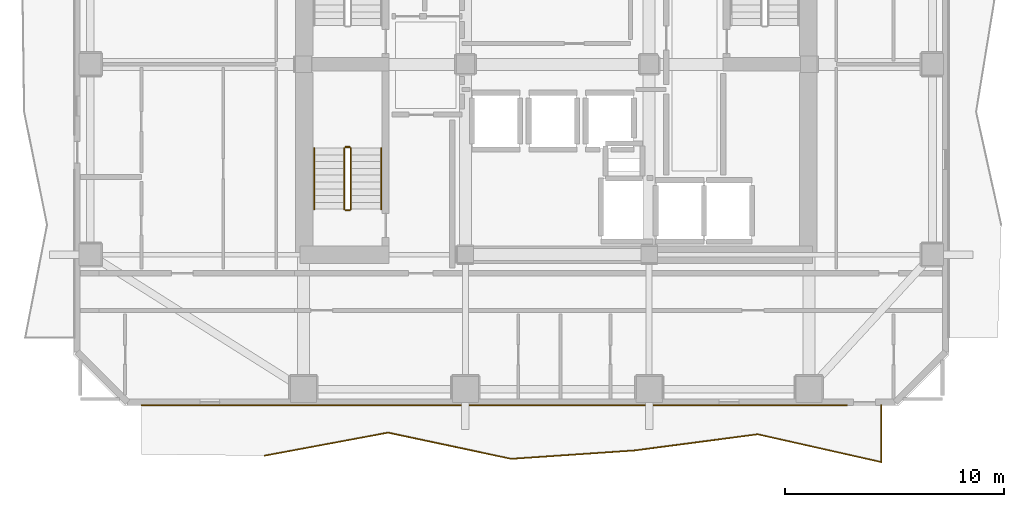
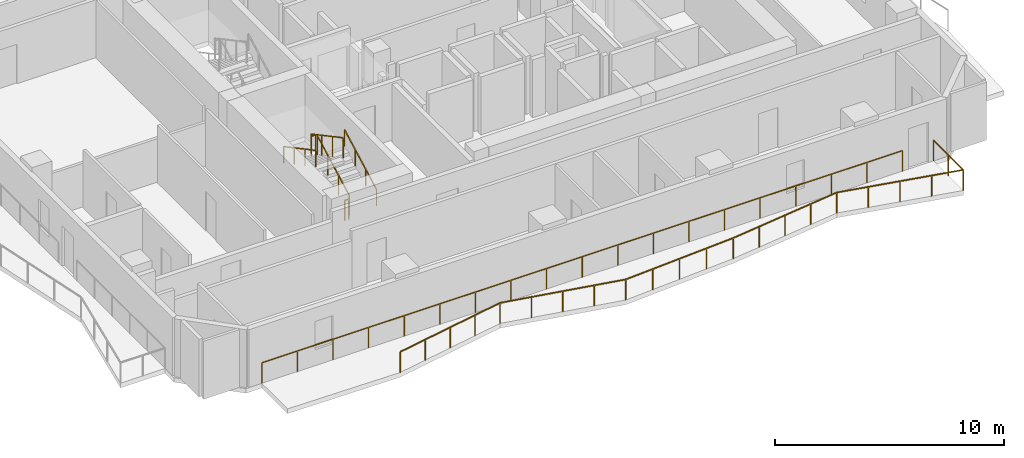
# One storey, part 8 of 11: 8 railings.
"""IFC4 building model written with IfcOpenShell, lengths in metres."""

from ifc_helpers import new_model, si_unit, direction, frame, origin, origin_2d, place, context, subcontext, project, spatial, rectangle, extrude, material, type_object, element, save


model = new_model("IFC4")

# Units and contexts
model_context = context("Model", 3, precision=1e-05, world=origin(), true_north=direction((0.0, 1.0)))
body_context = subcontext(model_context, "Body", "Model", "MODEL_VIEW")
ifc_project = project(units=[si_unit("LENGTHUNIT", "METRE"), si_unit("AREAUNIT", "SQUARE_METRE"), si_unit("VOLUMEUNIT", "CUBIC_METRE"), si_unit("PLANEANGLEUNIT", "RADIAN"), si_unit("MASSUNIT", "GRAM", prefix="KILO")], contexts=[model_context])

# Site, building, storey
site_placement = place(None, origin())
site = spatial("IfcSite", under=ifc_project, at=site_placement, CompositionType="ELEMENT")
building_placement = place(site_placement, origin())
building = spatial("IfcBuilding", under=site, at=building_placement, Name="Solanera Arch Residences", CompositionType="ELEMENT")
storey_placement = place(building_placement, frame((0.0, 0.0, 180.199951171875)))
storey = spatial("IfcBuildingStorey", under=building, at=storey_placement, Name="L52", CompositionType="ELEMENT", Elevation=180.199951171875)

# Railings
ifc_material_1 = material(Name="Steel S355 (ASTM A992 / A572 Grade 50)", Category="steel")
railing_type_1 = type_object("IfcRailingType", Name="Balustrade Railing BL-1100", PredefinedType="BALUSTRADE", material=ifc_material_1)
railing_1_placement = place(storey_placement, frame((11.633056640625, 12.81298828125, 0.0)))
element("IfcRailing", 1, at=railing_1_placement, inside=storey, type_object=railing_type_1, Name="L52 S Balcony Balustrade 1", PredefinedType="BALUSTRADE", context=body_context, shape_type="SweptSolid", body=[
    extrude(rectangle(XDim=0.048095703125, YDim=0.048095703125, at=origin_2d()), frame((0.0, 0.0, 1.09619140625), z_axis=(0.983041040317, 0.183385694786, 0.0), x_axis=(-0.183385694786, 0.983041040317, 0.0)), (0.0, 0.0, 1.0), 5.731201171875),
    extrude(rectangle(XDim=0.048095703125, YDim=0.048095703125, at=origin_2d()), frame((5.634033203125, 1.051025390625, 1.09619140625), z_axis=(0.978088116362, -0.208191346197, 0.0), x_axis=(0.208191346197, 0.978088116362, 0.0)), (0.0, 0.0, 1.0), 5.759033203125),
    extrude(rectangle(XDim=0.048095703125, YDim=0.048095703125, at=origin_2d()), frame((11.266845703125, -0.14794921875, 1.09619140625), z_axis=(0.99768415952, 0.068017040824, 0.0), x_axis=(-0.068017040824, 0.99768415952, 0.0)), (0.0, 0.0, 1.0), 5.646240234375),
    extrude(rectangle(XDim=0.048095703125, YDim=0.048095703125, at=origin_2d()), frame((16.89990234375, 0.236083984375, 1.09619140625), z_axis=(0.991506715215, 0.130055502316, 0.0), x_axis=(-0.130055502316, 0.991506715215, 0.0)), (0.0, 0.0, 1.0), 5.682373046875),
    extrude(rectangle(XDim=0.048095703125, YDim=0.048095703125, at=origin_2d()), frame((22.533935546875, 0.97509765625, 1.09619140625), z_axis=(0.975550184703, -0.219776789325, 0.0), x_axis=(0.219776789325, 0.975550184703, 0.0)), (0.0, 0.0, 1.0), 5.774169921875),
    extrude(rectangle(XDim=0.048095703125, YDim=0.048095703125, at=origin_2d()), frame((28.1669921875, -0.2939453125, 1.09619140625), z_axis=(0.0, 1.0, 0.0), x_axis=(-1.0, 0.0, 0.0)), (0.0, 0.0, 1.0), 2.60107421875),
    extrude(rectangle(XDim=0.0419921875, YDim=0.0419921875, at=origin_2d()), origin(), (0.0, 0.0, 1.0), 1.072021484375),
    extrude(rectangle(XDim=0.0419921875, YDim=0.0419921875, at=origin_2d()), frame((1.408447265625, 0.2626953125, 0.0)), (0.0, 0.0, 1.0), 1.072021484375),
    extrude(rectangle(XDim=0.0419921875, YDim=0.0419921875, at=origin_2d()), frame((2.81689453125, 0.525390625, 0.0)), (0.0, 0.0, 1.0), 1.072021484375),
    extrude(rectangle(XDim=0.0419921875, YDim=0.0419921875, at=origin_2d()), frame((4.2255859375, 0.788330078125, 0.0)), (0.0, 0.0, 1.0), 1.072021484375),
    extrude(rectangle(XDim=0.0419921875, YDim=0.0419921875, at=origin_2d()), frame((5.634033203125, 1.051025390625, 0.0)), (0.0, 0.0, 1.0), 1.072021484375),
    extrude(rectangle(XDim=0.0419921875, YDim=0.0419921875, at=origin_2d()), frame((7.042236328125, 0.751220703125, 0.0)), (0.0, 0.0, 1.0), 1.072021484375),
    extrude(rectangle(XDim=0.0419921875, YDim=0.0419921875, at=origin_2d()), frame((8.450439453125, 0.45166015625, 0.0)), (0.0, 0.0, 1.0), 1.072021484375),
    extrude(rectangle(XDim=0.0419921875, YDim=0.0419921875, at=origin_2d()), frame((9.858642578125, 0.15185546875, 0.0)), (0.0, 0.0, 1.0), 1.072021484375),
    extrude(rectangle(XDim=0.0419921875, YDim=0.0419921875, at=origin_2d()), frame((11.266845703125, -0.14794921875, 0.0)), (0.0, 0.0, 1.0), 1.072021484375),
    extrude(rectangle(XDim=0.0419921875, YDim=0.0419921875, at=origin_2d()), frame((12.675048828125, -0.052001953125, 0.0)), (0.0, 0.0, 1.0), 1.072021484375),
    extrude(rectangle(XDim=0.0419921875, YDim=0.0419921875, at=origin_2d()), frame((14.08349609375, 0.0439453125, 0.0)), (0.0, 0.0, 1.0), 1.072021484375),
    extrude(rectangle(XDim=0.0419921875, YDim=0.0419921875, at=origin_2d()), frame((15.49169921875, 0.14013671875, 0.0)), (0.0, 0.0, 1.0), 1.072021484375),
    extrude(rectangle(XDim=0.0419921875, YDim=0.0419921875, at=origin_2d()), frame((16.89990234375, 0.236083984375, 0.0)), (0.0, 0.0, 1.0), 1.072021484375),
    extrude(rectangle(XDim=0.0419921875, YDim=0.0419921875, at=origin_2d()), frame((18.308349609375, 0.4208984375, 0.0)), (0.0, 0.0, 1.0), 1.072021484375),
    extrude(rectangle(XDim=0.0419921875, YDim=0.0419921875, at=origin_2d()), frame((19.716796875, 0.60546875, 0.0)), (0.0, 0.0, 1.0), 1.072021484375),
    extrude(rectangle(XDim=0.0419921875, YDim=0.0419921875, at=origin_2d()), frame((21.12548828125, 0.790283203125, 0.0)), (0.0, 0.0, 1.0), 1.072021484375),
    extrude(rectangle(XDim=0.0419921875, YDim=0.0419921875, at=origin_2d()), frame((22.533935546875, 0.97509765625, 0.0)), (0.0, 0.0, 1.0), 1.072021484375),
    extrude(rectangle(XDim=0.0419921875, YDim=0.0419921875, at=origin_2d()), frame((23.942138671875, 0.65771484375, 0.0)), (0.0, 0.0, 1.0), 1.072021484375),
    extrude(rectangle(XDim=0.0419921875, YDim=0.0419921875, at=origin_2d()), frame((25.3505859375, 0.340576171875, 0.0)), (0.0, 0.0, 1.0), 1.072021484375),
    extrude(rectangle(XDim=0.0419921875, YDim=0.0419921875, at=origin_2d()), frame((26.7587890625, 0.0234375, 0.0)), (0.0, 0.0, 1.0), 1.072021484375),
    extrude(rectangle(XDim=0.0419921875, YDim=0.0419921875, at=origin_2d()), frame((28.1669921875, -0.2939453125, 0.0)), (0.0, 0.0, 1.0), 1.072021484375),
    extrude(rectangle(XDim=0.0419921875, YDim=0.0419921875, at=origin_2d()), frame((28.1669921875, 1.006591796875, 0.0)), (0.0, 0.0, 1.0), 1.072021484375),
    extrude(rectangle(XDim=0.0419921875, YDim=0.0419921875, at=origin_2d()), frame((28.1669921875, 2.30712890625, 0.0)), (0.0, 0.0, 1.0), 1.072021484375),
])
railing_2_placement = place(storey_placement, frame((38.240966796875, 15.1201171875, 0.0)))
element("IfcRailing", 2, at=railing_2_placement, inside=storey, type_object=railing_type_1, Name="L52 S Balcony Balustrade 2", PredefinedType="BALUSTRADE", context=body_context, shape_type="SweptSolid", body=[
    extrude(rectangle(XDim=0.048095703125, YDim=0.048095703125, at=origin_2d()), frame((0.0, 0.0, 1.09619140625), z_axis=(-1.0, 0.0, 0.0), x_axis=(0.0, -1.0, 0.0)), (0.0, 0.0, 1.0), 32.240966796875),
    extrude(rectangle(XDim=0.0419921875, YDim=0.0419921875, at=origin_2d()), origin(), (0.0, 0.0, 1.0), 1.072021484375),
    extrude(rectangle(XDim=0.0419921875, YDim=0.0419921875, at=origin_2d()), frame((-1.791259765625, 0.0, 0.0)), (0.0, 0.0, 1.0), 1.072021484375),
    extrude(rectangle(XDim=0.0419921875, YDim=0.0419921875, at=origin_2d()), frame((-3.582275390625, 0.0, 0.0)), (0.0, 0.0, 1.0), 1.072021484375),
    extrude(rectangle(XDim=0.0419921875, YDim=0.0419921875, at=origin_2d()), frame((-5.37353515625, 0.0, 0.0)), (0.0, 0.0, 1.0), 1.072021484375),
    extrude(rectangle(XDim=0.0419921875, YDim=0.0419921875, at=origin_2d()), frame((-7.16455078125, 0.0, 0.0)), (0.0, 0.0, 1.0), 1.072021484375),
    extrude(rectangle(XDim=0.0419921875, YDim=0.0419921875, at=origin_2d()), frame((-8.955810546875, 0.0, 0.0)), (0.0, 0.0, 1.0), 1.072021484375),
    extrude(rectangle(XDim=0.0419921875, YDim=0.0419921875, at=origin_2d()), frame((-10.7470703125, 0.0, 0.0)), (0.0, 0.0, 1.0), 1.072021484375),
    extrude(rectangle(XDim=0.0419921875, YDim=0.0419921875, at=origin_2d()), frame((-12.5380859375, 0.0, 0.0)), (0.0, 0.0, 1.0), 1.072021484375),
    extrude(rectangle(XDim=0.0419921875, YDim=0.0419921875, at=origin_2d()), frame((-14.329345703125, 0.0, 0.0)), (0.0, 0.0, 1.0), 1.072021484375),
    extrude(rectangle(XDim=0.0419921875, YDim=0.0419921875, at=origin_2d()), frame((-16.12060546875, 0.0, 0.0)), (0.0, 0.0, 1.0), 1.072021484375),
    extrude(rectangle(XDim=0.0419921875, YDim=0.0419921875, at=origin_2d()), frame((-17.91162109375, 0.0, 0.0)), (0.0, 0.0, 1.0), 1.072021484375),
    extrude(rectangle(XDim=0.0419921875, YDim=0.0419921875, at=origin_2d()), frame((-19.702880859375, 0.0, 0.0)), (0.0, 0.0, 1.0), 1.072021484375),
    extrude(rectangle(XDim=0.0419921875, YDim=0.0419921875, at=origin_2d()), frame((-21.493896484375, 0.0, 0.0)), (0.0, 0.0, 1.0), 1.072021484375),
    extrude(rectangle(XDim=0.0419921875, YDim=0.0419921875, at=origin_2d()), frame((-23.28515625, 0.0, 0.0)), (0.0, 0.0, 1.0), 1.072021484375),
    extrude(rectangle(XDim=0.0419921875, YDim=0.0419921875, at=origin_2d()), frame((-25.076416015625, 0.0, 0.0)), (0.0, 0.0, 1.0), 1.072021484375),
    extrude(rectangle(XDim=0.0419921875, YDim=0.0419921875, at=origin_2d()), frame((-26.867431640625, 0.0, 0.0)), (0.0, 0.0, 1.0), 1.072021484375),
    extrude(rectangle(XDim=0.0419921875, YDim=0.0419921875, at=origin_2d()), frame((-28.65869140625, 0.0, 0.0)), (0.0, 0.0, 1.0), 1.072021484375),
    extrude(rectangle(XDim=0.0419921875, YDim=0.0419921875, at=origin_2d()), frame((-30.44970703125, 0.0, 0.0)), (0.0, 0.0, 1.0), 1.072021484375),
    extrude(rectangle(XDim=0.0419921875, YDim=0.0419921875, at=origin_2d()), frame((-32.240966796875, 0.0, 0.0)), (0.0, 0.0, 1.0), 1.072021484375),
])
ifc_material_2 = material(Name="Steel S355 (ASTM A992 / A572 Grade 50)", Category="steel")
railing_type_2 = type_object("IfcRailingType", Name="Stair Guardrail GR-1100", PredefinedType="GUARDRAIL", material=ifc_material_2)
railing_3_placement = place(storey_placement, frame((15.570068359375, 24.080078125, 0.151123046875)))
element("IfcRailing", 3, at=railing_3_placement, inside=storey, type_object=railing_type_2, Name="L52 ST-T3 stair guard 1", PredefinedType="GUARDRAIL", context=body_context, shape_type="SweptSolid", body=[
    extrude(rectangle(XDim=0.048095703125, YDim=0.048095703125, at=origin_2d()), frame((0.0, 0.0, 1.076171875), z_axis=(0.0, 0.881580869306, 0.472033018838), x_axis=(-1.0, 0.0, 0.0)), (0.0, 0.0, 1.0), 3.164794921875),
    extrude(rectangle(XDim=0.0419921875, YDim=0.0419921875, at=origin_2d()), origin(), (0.0, 0.0, 1.0), 1.052001953125),
    extrude(rectangle(XDim=0.0419921875, YDim=0.0419921875, at=origin_2d()), frame((0.0, 0.929931640625, 0.498046875)), (0.0, 0.0, 1.0), 1.052001953125),
    extrude(rectangle(XDim=0.0419921875, YDim=0.0419921875, at=origin_2d()), frame((0.0, 1.860107421875, 0.995849609375)), (0.0, 0.0, 1.0), 1.052001953125),
    extrude(rectangle(XDim=0.0419921875, YDim=0.0419921875, at=origin_2d()), frame((0.0, 2.7900390625, 1.493896484375)), (0.0, 0.0, 1.0), 1.052001953125),
])
railing_4_placement = place(storey_placement, frame((15.52001953125, 26.919921875, 1.64501953125)))
element("IfcRailing", 4, at=railing_4_placement, inside=storey, type_object=railing_type_2, Name="L52 ST-T3 stair guard 2", PredefinedType="GUARDRAIL", context=body_context, shape_type="SweptSolid", body=[
    extrude(rectangle(XDim=0.048095703125, YDim=0.048095703125, at=origin_2d()), frame((0.0, 0.0, 1.076171875), z_axis=(-1.0, 0.0, 0.0), x_axis=(0.0, -1.0, 0.0)), (0.0, 0.0, 1.0), 0.199951171875),
    extrude(rectangle(XDim=0.0419921875, YDim=0.0419921875, at=origin_2d()), origin(), (0.0, 0.0, 1.0), 1.052001953125),
    extrude(rectangle(XDim=0.0419921875, YDim=0.0419921875, at=origin_2d()), frame((-0.199951171875, 0.0, 0.0)), (0.0, 0.0, 1.0), 1.052001953125),
])
railing_5_placement = place(storey_placement, frame((15.27001953125, 26.8701171875, 1.81103515625)))
element("IfcRailing", 5, at=railing_5_placement, inside=storey, type_object=railing_type_2, Name="L52 ST-T3 stair guard 3", PredefinedType="GUARDRAIL", context=body_context, shape_type="SweptSolid", body=[
    extrude(rectangle(XDim=0.048095703125, YDim=0.048095703125, at=origin_2d()), frame((0.0, 0.0, 1.076171875), z_axis=(0.0, -0.881580869306, 0.472033018838), x_axis=(1.0, 0.0, 0.0)), (0.0, 0.0, 1.0), 3.164794921875),
    extrude(rectangle(XDim=0.0419921875, YDim=0.0419921875, at=origin_2d()), origin(), (0.0, 0.0, 1.0), 1.052001953125),
    extrude(rectangle(XDim=0.0419921875, YDim=0.0419921875, at=origin_2d()), frame((0.0, -0.929931640625, 0.498046875)), (0.0, 0.0, 1.0), 1.052001953125),
    extrude(rectangle(XDim=0.0419921875, YDim=0.0419921875, at=origin_2d()), frame((0.0, -1.860107421875, 0.995849609375)), (0.0, 0.0, 1.0), 1.052001953125),
    extrude(rectangle(XDim=0.0419921875, YDim=0.0419921875, at=origin_2d()), frame((0.0, -2.7900390625, 1.493896484375)), (0.0, 0.0, 1.0), 1.052001953125),
])
railing_6_placement = place(storey_placement, frame((15.52001953125, 24.030029296875, -0.014892578125)))
element("IfcRailing", 6, at=railing_6_placement, inside=storey, type_object=railing_type_2, Name="L52 ST-T3 stair guard 4", PredefinedType="GUARDRAIL", context=body_context, shape_type="SweptSolid", body=[
    extrude(rectangle(XDim=0.048095703125, YDim=0.048095703125, at=origin_2d()), frame((0.0, 0.0, 1.076171875), z_axis=(-1.0, 0.0, 0.0), x_axis=(0.0, -1.0, 0.0)), (0.0, 0.0, 1.0), 0.199951171875),
    extrude(rectangle(XDim=0.0419921875, YDim=0.0419921875, at=origin_2d()), origin(), (0.0, 0.0, 1.0), 1.052001953125),
    extrude(rectangle(XDim=0.0419921875, YDim=0.0419921875, at=origin_2d()), frame((-0.199951171875, 0.0, 0.0)), (0.0, 0.0, 1.0), 1.052001953125),
])
ifc_material_3 = material(Name="Steel S355 (ASTM A992 / A572 Grade 50)", Category="steel")
railing_type_3 = type_object("IfcRailingType", Name="Stair Wall Handrail HR-920", PredefinedType="HANDRAIL", material=ifc_material_3)
railing_7_placement = place(storey_placement, frame((16.949951171875, 24.080078125, 0.166015625)))
element("IfcRailing", 7, at=railing_7_placement, inside=storey, type_object=railing_type_3, Name="L52 ST-T3 stair handrail 1", PredefinedType="HANDRAIL", context=body_context, shape_type="SweptSolid", body=[
    extrude(rectangle(XDim=0.048095703125, YDim=0.048095703125, at=origin_2d()), frame((0.0, 0.0, 0.8759765625), z_axis=(0.0, 0.881548766853, 0.472092969298), x_axis=(-1.0, 0.0, 0.0)), (0.0, 0.0, 1.0), 3.1650390625),
    extrude(rectangle(XDim=0.0419921875, YDim=0.0419921875, at=origin_2d()), origin(), (0.0, 0.0, 1.0), 0.851806640625),
    extrude(rectangle(XDim=0.0419921875, YDim=0.0419921875, at=origin_2d()), frame((0.0, 0.929931640625, 0.498046875)), (0.0, 0.0, 1.0), 0.851806640625),
    extrude(rectangle(XDim=0.0419921875, YDim=0.0419921875, at=origin_2d()), frame((0.0, 1.860107421875, 0.99609375)), (0.0, 0.0, 1.0), 0.851806640625),
    extrude(rectangle(XDim=0.0419921875, YDim=0.0419921875, at=origin_2d()), frame((0.0, 2.7900390625, 1.494140625)), (0.0, 0.0, 1.0), 0.851806640625),
])
railing_8_placement = place(storey_placement, frame((13.889892578125, 26.8701171875, 1.825927734375)))
element("IfcRailing", 8, at=railing_8_placement, inside=storey, type_object=railing_type_3, Name="L52 ST-T3 stair handrail 2", PredefinedType="HANDRAIL", context=body_context, shape_type="SweptSolid", body=[
    extrude(rectangle(XDim=0.048095703125, YDim=0.048095703125, at=origin_2d()), frame((0.0, 0.0, 0.8759765625), z_axis=(0.0, -0.881548766853, 0.472092969298), x_axis=(1.0, 0.0, 0.0)), (0.0, 0.0, 1.0), 3.1650390625),
    extrude(rectangle(XDim=0.0419921875, YDim=0.0419921875, at=origin_2d()), origin(), (0.0, 0.0, 1.0), 0.851806640625),
    extrude(rectangle(XDim=0.0419921875, YDim=0.0419921875, at=origin_2d()), frame((0.0, -0.929931640625, 0.498046875)), (0.0, 0.0, 1.0), 0.851806640625),
    extrude(rectangle(XDim=0.0419921875, YDim=0.0419921875, at=origin_2d()), frame((0.0, -1.860107421875, 0.99609375)), (0.0, 0.0, 1.0), 0.851806640625),
    extrude(rectangle(XDim=0.0419921875, YDim=0.0419921875, at=origin_2d()), frame((0.0, -2.7900390625, 1.494140625)), (0.0, 0.0, 1.0), 0.851806640625),
])

save(model, "model.ifc")
